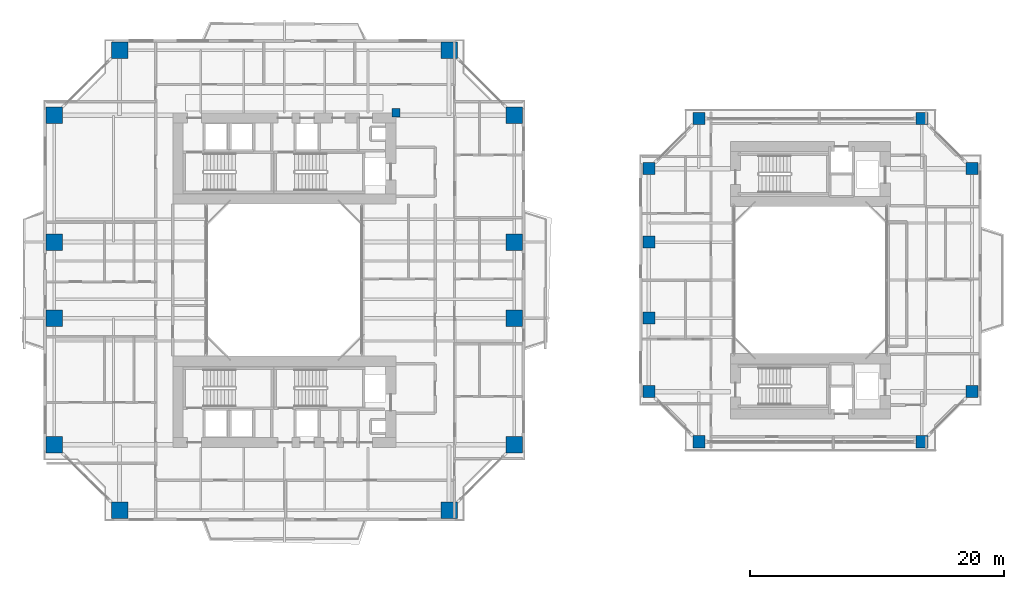
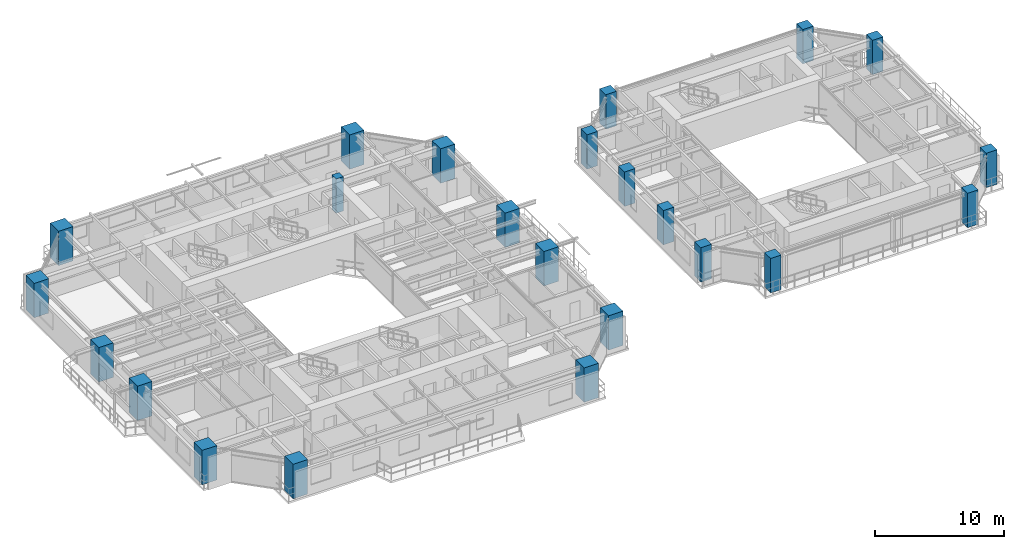
# One storey, part 1 of 24: 23 columns.
"""IFC4 building model written with IfcOpenShell, lengths in metres."""

from ifc_helpers import new_model, si_unit, direction, frame, origin, origin_2d, place, context, subcontext, project, spatial, rectangle, extrude, source, transform, mapped, material, material_profile, profile_set, type_object, element, save


model = new_model("IFC4")

# Units and contexts
model_context = context("Model", 3, precision=1e-05, world=origin(), true_north=direction((0.0, 1.0)))
body_context = subcontext(model_context, "Body", "Model", "MODEL_VIEW")
ifc_project = project(units=[si_unit("LENGTHUNIT", "METRE"), si_unit("AREAUNIT", "SQUARE_METRE"), si_unit("VOLUMEUNIT", "CUBIC_METRE"), si_unit("PLANEANGLEUNIT", "RADIAN"), si_unit("MASSUNIT", "GRAM", prefix="KILO"), si_unit("THERMODYNAMICTEMPERATUREUNIT", "KELVIN"), si_unit("POWERUNIT", "WATT")], contexts=[model_context])

# Site, building, storey
site_placement = place(None, origin())
site = spatial("IfcSite", under=ifc_project, at=site_placement, CompositionType="ELEMENT")
building_placement = place(site_placement, origin())
building = spatial("IfcBuilding", under=site, at=building_placement, Name="Qiaomeng Ring Towers", CompositionType="ELEMENT")
storey_placement = place(building_placement, frame((0.0, 0.0, 36.0)))
storey = spatial("IfcBuildingStorey", under=building, at=storey_placement, Name="L09", CompositionType="ELEMENT", Elevation=36.0)

# Columns
ifc_material_1 = material(Name="Concrete C50", Category="concrete")
ifc_material_profile_1 = material_profile(ifc_material_1, rectangle(XDim=0.64990234375, YDim=0.64990234375, at=origin_2d()), Name="RC COL 650x650")
ifc_profile_set_1 = profile_set([ifc_material_profile_1], Name="Concrete C50")
column_type_1 = type_object("IfcColumnType", Name="STR-PIL-650", PredefinedType="PILASTER", material=ifc_profile_set_1)
shared_shape_1 = source(origin(), body_context, "Body", "SweptSolid", [
    extrude(rectangle(XDim=0.64990234375, YDim=0.64990234375, at=origin_2d()), origin(), (0.0, 0.0, 1.0), 3.25),
])
column_placement = place(storey_placement, frame((27.800048828125, 36.199951171875, 0.0), z_axis=(0.0, 0.0, 1.0), x_axis=(1.0, 0.0, 0.0)))
element("IfcColumn", 1, at=column_placement, inside=storey, type_object=column_type_1, Name="L09 column STR-PIL-L09-N", PredefinedType="PILASTER", context=body_context, shape_type="MappedRepresentation", body=[
    mapped(shared_shape_1, transform((0.0, 0.0, 0.0), x_axis=(1.0, 0.0, 0.0), y_axis=(0.0, 1.0, 0.0), z_axis=(0.0, 0.0, 1.0), scale=1.0)),
])
ifc_material_2 = material(Name="Concrete C60", Category="concrete")
ifc_material_profile_2 = material_profile(ifc_material_2, rectangle(XDim=1.300048828125, YDim=1.300048828125, at=origin_2d()), Name="RC COL 1300x1300")
ifc_profile_set_2 = profile_set([ifc_material_profile_2], Name="Concrete C60")
column_type_2 = type_object("IfcColumnType", Name="STR-COL-1300", PredefinedType="COLUMN", material=ifc_profile_set_2)
shared_shape_2 = source(origin(), body_context, "Body", "SweptSolid", [
    extrude(rectangle(XDim=1.300048828125, YDim=1.300048828125, at=origin_2d()), origin(), (0.0, 0.0, 1.0), 3.25),
])
for number, where, z_axis, x_axis, name in (
    (2, (6.0, 4.85009765625, 0.0), (0.0, 0.0, 1.0), (1.0, 0.0, 0.0), "L09 column STR-COL-L09-T1-S1"),
    (3, (32.0, 4.85009765625, 0.0), (0.0, 0.0, 1.0), (1.0, 0.0, 0.0), "L09 column STR-COL-L09-T1-S2"),
    (4, (37.14990234375, 10.0, 0.0), (0.0, 0.0, 1.0), (1.0, 0.0, 0.0), "L09 column STR-COL-L09-T1-E1"),
    (5, (37.14990234375, 20.0, 0.0), (0.0, 0.0, 1.0), (1.0, 0.0, 0.0), "L09 column STR-COL-L09-T1-E2"),
    (6, (37.14990234375, 26.0, 0.0), (0.0, 0.0, 1.0), (1.0, 0.0, 0.0), "L09 column STR-COL-L09-T1-E3"),
    (7, (37.14990234375, 36.0, 0.0), (0.0, 0.0, 1.0), (1.0, 0.0, 0.0), "L09 column STR-COL-L09-T1-E4"),
    (8, (32.0, 41.14990234375, 0.0), (0.0, 0.0, 1.0), (1.0, 0.0, 0.0), "L09 column STR-COL-L09-T1-N2"),
    (9, (6.0, 41.14990234375, 0.0), (0.0, 0.0, 1.0), (1.0, 0.0, 0.0), "L09 column STR-COL-L09-T1-N1"),
    (10, (0.85009765625, 36.0, 0.0), (0.0, 0.0, 1.0), (1.0, 0.0, 0.0), "L09 column STR-COL-L09-T1-W4"),
    (11, (0.85009765625, 26.0, 0.0), (0.0, 0.0, 1.0), (1.0, 0.0, 0.0), "L09 column STR-COL-L09-T1-W3"),
    (12, (0.85009765625, 20.0, 0.0), (0.0, 0.0, 1.0), (1.0, 0.0, 0.0), "L09 column STR-COL-L09-T1-W2"),
    (13, (0.85009765625, 10.0, 0.0), (0.0, 0.0, 1.0), (1.0, 0.0, 0.0), "L09 column STR-COL-L09-T1-W1"),
):
    element("IfcColumn", number, at=place(storey_placement, frame(where, z_axis=z_axis, x_axis=x_axis)), inside=storey, type_object=column_type_2, Name=name, PredefinedType="COLUMN", context=body_context, shape_type="MappedRepresentation", body=[
        mapped(shared_shape_2, transform((0.0, 0.0, 0.0), x_axis=(1.0, 0.0, 0.0), y_axis=(0.0, 1.0, 0.0), z_axis=(0.0, 0.0, 1.0), scale=1.0)),
    ])
ifc_material_profile_3 = material_profile(ifc_material_2, rectangle(XDim=0.949951171875, YDim=0.949951171875, at=origin_2d()), Name="RC COL 950x950")
ifc_profile_set_3 = profile_set([ifc_material_profile_3], Name="Concrete C60")
column_type_3 = type_object("IfcColumnType", Name="STR-COL-950-C60", PredefinedType="COLUMN", material=ifc_profile_set_3)
shared_shape_3 = source(origin(), body_context, "Body", "SweptSolid", [
    extrude(rectangle(XDim=0.949951171875, YDim=0.949951171875, at=origin_2d()), origin(), (0.0, 0.0, 1.0), 3.25),
])
for number, where, z_axis, x_axis, name in (
    (14, (51.699951171875, 10.25, 0.0), (0.0, 0.0, 1.0), (1.0, 0.0, 0.0), "L09 column STR-COL-L09-T2-S1"),
    (15, (69.300048828125, 10.25, 0.0), (0.0, 0.0, 1.0), (1.0, 0.0, 0.0), "L09 column STR-COL-L09-T2-S2"),
    (16, (73.25, 14.199951171875, 0.0), (0.0, 0.0, 1.0), (1.0, 0.0, 0.0), "L09 column STR-COL-L09-T2-E1"),
    (17, (73.25, 31.800048828125, 0.0), (0.0, 0.0, 1.0), (1.0, 0.0, 0.0), "L09 column STR-COL-L09-T2-E2"),
    (18, (69.300048828125, 35.75, 0.0), (0.0, 0.0, 1.0), (1.0, 0.0, 0.0), "L09 column STR-COL-L09-T2-N2"),
    (19, (51.699951171875, 35.75, 0.0), (0.0, 0.0, 1.0), (1.0, 0.0, 0.0), "L09 column STR-COL-L09-T2-N1"),
    (20, (47.75, 14.199951171875, 0.0), (0.0, 0.0, 1.0), (1.0, 0.0, 0.0), "L09 column STR-COL-L09-T2-W1"),
    (21, (47.75, 20.0, 0.0), (0.0, 0.0, 1.0), (1.0, 0.0, 0.0), "L09 column STR-COL-L09-T2-W2"),
    (22, (47.75, 26.0, 0.0), (0.0, 0.0, 1.0), (1.0, 0.0, 0.0), "L09 column STR-COL-L09-T2-W3"),
    (23, (47.75, 31.800048828125, 0.0), (0.0, 0.0, 1.0), (1.0, 0.0, 0.0), "L09 column STR-COL-L09-T2-W4"),
):
    element("IfcColumn", number, at=place(storey_placement, frame(where, z_axis=z_axis, x_axis=x_axis)), inside=storey, type_object=column_type_3, Name=name, PredefinedType="COLUMN", context=body_context, shape_type="MappedRepresentation", body=[
        mapped(shared_shape_3, transform((0.0, 0.0, 0.0), x_axis=(1.0, 0.0, 0.0), y_axis=(0.0, 1.0, 0.0), z_axis=(0.0, 0.0, 1.0), scale=1.0)),
    ])

save(model, "model.ifc")
